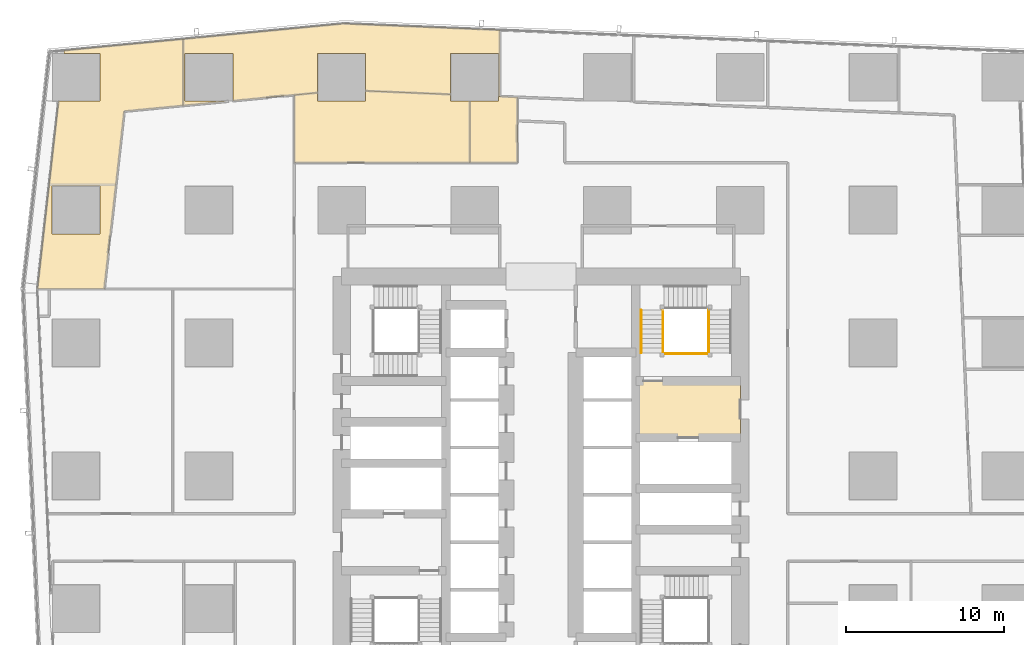
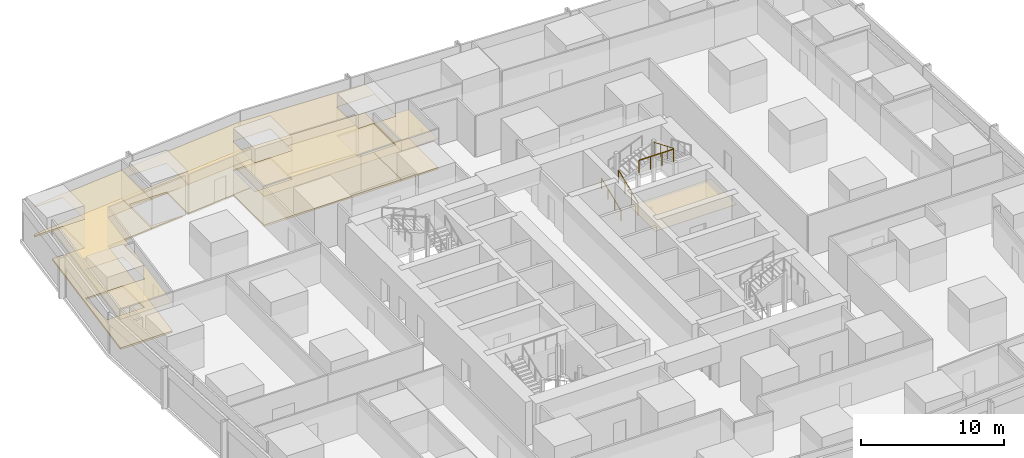
# One storey, part 43 of 45: 9 coverings, 4 railings.
"""IFC4 building model written with IfcOpenShell, lengths in metres."""

from ifc_helpers import new_model, si_unit, direction, frame, origin, origin_2d, place, context, subcontext, project, spatial, polyline, circle, outline, extrude, material, layer, layer_set, type_object, element, save


model = new_model("IFC4")

# Units and contexts
model_context = context("Model", 3, precision=1e-05, world=origin(), true_north=direction((0.0, 1.0)))
body_context = subcontext(model_context, "Body", "Model", "MODEL_VIEW")
ifc_project = project(units=[si_unit("LENGTHUNIT", "METRE"), si_unit("AREAUNIT", "SQUARE_METRE"), si_unit("VOLUMEUNIT", "CUBIC_METRE"), si_unit("PLANEANGLEUNIT", "RADIAN"), si_unit("MASSUNIT", "GRAM", prefix="KILO")], contexts=[model_context])

# Site, building, storey
site_placement = place(None, origin())
site = spatial("IfcSite", under=ifc_project, at=site_placement, CompositionType="ELEMENT")
building_placement = place(site_placement, origin())
building = spatial("IfcBuilding", under=site, at=building_placement, Name="Rekha Terrace Tower", CompositionType="ELEMENT")
storey_placement = place(building_placement, frame((0.0, 0.0, 77.89990234375)))
storey = spatial("IfcBuildingStorey", under=building, at=storey_placement, Name="L19", CompositionType="ELEMENT", Elevation=77.89990234375)

# Coverings
ifc_material_1 = material(Name="Mineral fibre tile in exposed grid", Category="finish")
ifc_layer_1 = layer(ifc_material_1, 0.02001953125)
ifc_layer_set_1 = layer_set([ifc_layer_1], Name="Mineral fibre tile in exposed grid")
covering_type_1 = type_object("IfcCoveringType", Name="CL1 600x1200 office grid ceiling", PredefinedType="CEILING", material=ifc_layer_set_1)
covering_1_placement = place(storey_placement, frame((0.0, 0.0, 2.580078125)))
element("IfcCovering", 1, at=covering_1_placement, inside=storey, type_object=covering_type_1, Name="Ceiling L19-18", PredefinedType="CEILING", context=body_context, shape_type="SweptSolid", body=[
    extrude(outline(polyline([(25.325927734375, 62.199951171875), (15.177001953125, 61.22412109375), (15.177001953125, 57.0048828125), (17.85205078125, 57.261962890625), (17.85009765625, 57.284912109375), (15.284912109375, 57.284912109375), (15.284912109375, 60.31494140625), (18.31494140625, 60.31494140625), (18.31494140625, 57.306884765625), (23.68505859375, 57.822998046875), (23.68505859375, 60.31494140625), (26.715087890625, 60.31494140625), (26.715087890625, 57.93896484375), (26.906982421875, 57.930908203125), (32.0849609375, 57.717041015625), (32.0849609375, 60.31494140625), (35.114990234375, 60.31494140625), (35.114990234375, 57.592041015625), (35.198974609375, 57.589111328125), (35.198974609375, 61.79296875), (26.909912109375, 62.135009765625), (25.325927734375, 62.199951171875)])), origin(), (0.0, 0.0, 1.0), 0.02001953125),
])
covering_2_placement = place(storey_placement, frame((0.0, 0.0, 2.580078125)))
element("IfcCovering", 2, at=covering_2_placement, inside=storey, type_object=covering_type_1, Name="Ceiling L19-19", PredefinedType="CEILING", context=body_context, shape_type="SweptSolid", body=[
    extrude(outline(polyline([(9.9150390625, 57.284912109375), (7.294921875, 57.284912109375), (6.701904296875, 52.012939453125), (5.958984375, 45.412109375), (10.18603515625, 45.412109375), (10.927978515625, 52.011962890625), (11.448974609375, 56.64599609375), (15.176025390625, 57.0048828125), (15.176025390625, 61.22412109375), (7.656005859375, 60.5009765625), (7.635009765625, 60.31494140625), (9.9150390625, 60.31494140625), (9.9150390625, 57.284912109375)]), holes=[polyline([(9.9150390625, 51.9150390625), (9.9150390625, 48.885009765625), (6.885009765625, 48.885009765625), (6.885009765625, 51.9150390625), (9.9150390625, 51.9150390625)])]), origin(), (0.0, 0.0, 1.0), 0.02001953125),
])
covering_3_placement = place(storey_placement, frame((0.0, 0.0, 2.580078125)))
element("IfcCovering", 3, at=covering_3_placement, inside=storey, type_object=covering_type_1, Name="Ceiling L19-20", PredefinedType="CEILING", context=body_context, shape_type="SweptSolid", body=[
    extrude(outline(polyline([(22.199951171875, 53.39990234375), (33.300048828125, 53.39990234375), (33.300048828125, 57.284912109375), (32.0849609375, 57.284912109375), (32.0849609375, 57.718017578125), (30.0, 57.803955078125), (27.199951171875, 57.9189453125), (26.715087890625, 57.93896484375), (26.715087890625, 57.284912109375), (23.68505859375, 57.284912109375), (23.68505859375, 57.822998046875), (22.199951171875, 57.679931640625), (22.199951171875, 53.39990234375)])), origin(), (0.0, 0.0, 1.0), 0.02001953125),
])
covering_4_placement = place(storey_placement, frame((0.0, 0.0, 2.580078125)))
element("IfcCovering", 4, at=covering_4_placement, inside=storey, type_object=covering_type_1, Name="Ceiling L19-22", PredefinedType="CEILING", context=body_context, shape_type="SweptSolid", body=[
    extrude(outline(polyline([(33.300048828125, 53.39990234375), (36.300048828125, 53.39990234375), (36.300048828125, 57.5439453125), (35.114990234375, 57.593017578125), (35.114990234375, 57.284912109375), (33.300048828125, 57.284912109375), (33.300048828125, 53.39990234375)])), origin(), (0.0, 0.0, 1.0), 0.02001953125),
])
ifc_material_2 = material(Name="Powder-coated aluminium pan", Category="aluminium")
ifc_layer_2 = layer(ifc_material_2, 0.030029296875)
ifc_layer_set_2 = layer_set([ifc_layer_2], Name="Powder-coated aluminium pan")
covering_type_2 = type_object("IfcCoveringType", Name="CL3 300x1200 metal pan ceiling", PredefinedType="CEILING", material=ifc_layer_set_2)
covering_5_placement = place(storey_placement, frame((0.0, 0.0, 2.570068359375)))
element("IfcCovering", 5, at=covering_5_placement, inside=storey, type_object=covering_type_2, Name="Ceiling L19-FLB2", PredefinedType="CEILING", context=body_context, shape_type="SweptSolid", body=[
    extrude(outline(polyline([(50.39990234375, 39.60009765625), (43.800048828125, 39.60009765625), (43.800048828125, 36.0), (50.39990234375, 36.0), (50.39990234375, 39.60009765625)])), origin(), (0.0, 0.0, 1.0), 0.030029296875),
])

# Railings
ifc_material_3 = material(Name="Stainless steel balustrade", Category="steel")
railing_type_1 = type_object("IfcRailingType", Name="GR1 1100 stair guard", PredefinedType="GUARDRAIL", material=ifc_material_3)
railing_1_placement = place(storey_placement, frame((45.514892578125, 41.375, 0.125)))
element("IfcRailing", 6, at=railing_1_placement, inside=storey, type_object=railing_type_1, Name="Guard ST2 L19 flight 1", PredefinedType="GUARDRAIL", context=body_context, shape_type="SweptSolid", body=[
    extrude(circle(Radius=0.02392578125, at=origin_2d()), frame((0.0, 0.0, 1.076171875), z_axis=(0.0, 0.923074453586, 0.384621311341), x_axis=(-1.0, 0.0, 0.0)), (0.0, 0.0, 1.0), 2.925048828125),
    extrude(circle(Radius=0.02099609375, at=origin_2d()), origin(), (0.0, 0.0, 1.0), 1.052001953125),
    extrude(circle(Radius=0.02099609375, at=origin_2d()), frame((0.0, 0.89990234375, 0.375)), (0.0, 0.0, 1.0), 1.052001953125),
    extrude(circle(Radius=0.02099609375, at=origin_2d()), frame((0.0, 1.800048828125, 0.75)), (0.0, 0.0, 1.0), 1.052001953125),
    extrude(circle(Radius=0.02099609375, at=origin_2d()), frame((0.0, 2.699951171875, 1.125)), (0.0, 0.0, 1.0), 1.052001953125),
])
railing_2_placement = place(storey_placement, frame((48.409912109375, 44.074951171875, 2.625)))
element("IfcRailing", 7, at=railing_2_placement, inside=storey, type_object=railing_type_1, Name="Guard ST2 L19 flight 3", PredefinedType="GUARDRAIL", context=body_context, shape_type="SweptSolid", body=[
    extrude(circle(Radius=0.02392578125, at=origin_2d()), frame((0.0, 0.0, 1.076171875), z_axis=(0.0, -0.923074453586, 0.384621311341), x_axis=(1.0, 0.0, 0.0)), (0.0, 0.0, 1.0), 2.925048828125),
    extrude(circle(Radius=0.02099609375, at=origin_2d()), origin(), (0.0, 0.0, 1.0), 1.052001953125),
    extrude(circle(Radius=0.02099609375, at=origin_2d()), frame((0.0, -0.89990234375, 0.375)), (0.0, 0.0, 1.0), 1.052001953125),
    extrude(circle(Radius=0.02099609375, at=origin_2d()), frame((0.0, -1.800048828125, 0.75)), (0.0, 0.0, 1.0), 1.052001953125),
    extrude(circle(Radius=0.02099609375, at=origin_2d()), frame((0.0, -2.699951171875, 1.125)), (0.0, 0.0, 1.0), 1.052001953125),
])
railing_3_placement = place(storey_placement, frame((45.574951171875, 41.31494140625, 3.75)))
element("IfcRailing", 8, at=railing_3_placement, inside=storey, type_object=railing_type_1, Name="Guard ST2 L19 landing 4", PredefinedType="GUARDRAIL", context=body_context, shape_type="SweptSolid", body=[
    extrude(circle(Radius=0.02392578125, at=origin_2d()), frame((0.0, 0.0, 1.076171875), z_axis=(1.0, 0.0, 0.0), x_axis=(0.0, 1.0, 0.0)), (0.0, 0.0, 1.0), 2.775146484375),
    extrude(circle(Radius=0.02099609375, at=origin_2d()), origin(), (0.0, 0.0, 1.0), 1.052001953125),
    extrude(circle(Radius=0.02099609375, at=origin_2d()), frame((0.925048828125, 0.0, 0.0)), (0.0, 0.0, 1.0), 1.052001953125),
    extrude(circle(Radius=0.02099609375, at=origin_2d()), frame((1.85009765625, 0.0, 0.0)), (0.0, 0.0, 1.0), 1.052001953125),
    extrude(circle(Radius=0.02099609375, at=origin_2d()), frame((2.775146484375, 0.0, 0.0)), (0.0, 0.0, 1.0), 1.052001953125),
])
ifc_material_4 = material(Name="Stainless steel tube", Category="steel")
railing_type_2 = type_object("IfcRailingType", Name="HR1 900 stair handrail", PredefinedType="HANDRAIL", material=ifc_material_4)
railing_4_placement = place(storey_placement, frame((44.135009765625, 41.375, 0.125)))
element("IfcRailing", 9, at=railing_4_placement, inside=storey, type_object=railing_type_2, Name="Handrail ST2 L19 flight 1", PredefinedType="HANDRAIL", context=body_context, shape_type="SweptSolid", body=[
    extrude(circle(Radius=0.02392578125, at=origin_2d()), frame((0.0, 0.0, 0.8759765625), z_axis=(0.0, 0.923074453586, 0.384621311341), x_axis=(-1.0, 0.0, 0.0)), (0.0, 0.0, 1.0), 2.925048828125),
    extrude(circle(Radius=0.02099609375, at=origin_2d()), origin(), (0.0, 0.0, 1.0), 0.851806640625),
    extrude(circle(Radius=0.02099609375, at=origin_2d()), frame((0.0, 0.89990234375, 0.375)), (0.0, 0.0, 1.0), 0.851806640625),
    extrude(circle(Radius=0.02099609375, at=origin_2d()), frame((0.0, 1.800048828125, 0.75)), (0.0, 0.0, 1.0), 0.851806640625),
    extrude(circle(Radius=0.02099609375, at=origin_2d()), frame((0.0, 2.699951171875, 1.125)), (0.0, 0.0, 1.0), 0.851806640625),
])

# Coverings
ifc_material_5 = material(Name="Calcium sulphate panels on steel pedestals", Category="steel")
ifc_layer_3 = layer(ifc_material_5, 0.14990234375)
ifc_layer_set_3 = layer_set([ifc_layer_3], Name="Calcium sulphate panels on steel pedestals")
covering_type_3 = type_object("IfcCoveringType", Name="RF1 150 raised access floor", PredefinedType="FLOORING", material=ifc_layer_set_3)
covering_6_placement = place(storey_placement, origin())
element("IfcCovering", 10, at=covering_6_placement, inside=storey, type_object=covering_type_3, Name="Raised floor L19-18", PredefinedType="FLOORING", context=body_context, shape_type="SweptSolid", body=[
    extrude(outline(polyline([(25.325927734375, 62.199951171875), (15.177001953125, 61.22412109375), (15.177001953125, 57.0048828125), (17.85205078125, 57.261962890625), (17.85009765625, 57.284912109375), (15.284912109375, 57.284912109375), (15.284912109375, 60.31494140625), (18.31494140625, 60.31494140625), (18.31494140625, 57.306884765625), (23.68505859375, 57.822998046875), (23.68505859375, 60.31494140625), (26.715087890625, 60.31494140625), (26.715087890625, 57.93896484375), (26.906982421875, 57.930908203125), (32.0849609375, 57.717041015625), (32.0849609375, 60.31494140625), (35.114990234375, 60.31494140625), (35.114990234375, 57.592041015625), (35.198974609375, 57.589111328125), (35.198974609375, 61.79296875), (26.909912109375, 62.135009765625), (25.325927734375, 62.199951171875)])), origin(), (0.0, 0.0, 1.0), 0.150146484375),
])
covering_7_placement = place(storey_placement, origin())
element("IfcCovering", 11, at=covering_7_placement, inside=storey, type_object=covering_type_3, Name="Raised floor L19-19", PredefinedType="FLOORING", context=body_context, shape_type="SweptSolid", body=[
    extrude(outline(polyline([(9.9150390625, 57.284912109375), (7.294921875, 57.284912109375), (6.701904296875, 52.012939453125), (5.958984375, 45.412109375), (10.18603515625, 45.412109375), (10.927978515625, 52.011962890625), (11.448974609375, 56.64599609375), (15.176025390625, 57.0048828125), (15.176025390625, 61.22412109375), (7.656005859375, 60.5009765625), (7.635009765625, 60.31494140625), (9.9150390625, 60.31494140625), (9.9150390625, 57.284912109375)]), holes=[polyline([(9.9150390625, 51.9150390625), (9.9150390625, 48.885009765625), (6.885009765625, 48.885009765625), (6.885009765625, 51.9150390625), (9.9150390625, 51.9150390625)])]), origin(), (0.0, 0.0, 1.0), 0.150146484375),
])
covering_8_placement = place(storey_placement, origin())
element("IfcCovering", 12, at=covering_8_placement, inside=storey, type_object=covering_type_3, Name="Raised floor L19-20", PredefinedType="FLOORING", context=body_context, shape_type="SweptSolid", body=[
    extrude(outline(polyline([(22.199951171875, 53.39990234375), (33.300048828125, 53.39990234375), (33.300048828125, 57.284912109375), (32.0849609375, 57.284912109375), (32.0849609375, 57.718017578125), (30.0, 57.803955078125), (27.199951171875, 57.9189453125), (26.715087890625, 57.93896484375), (26.715087890625, 57.284912109375), (23.68505859375, 57.284912109375), (23.68505859375, 57.822998046875), (22.199951171875, 57.679931640625), (22.199951171875, 53.39990234375)])), origin(), (0.0, 0.0, 1.0), 0.150146484375),
])
covering_9_placement = place(storey_placement, origin())
element("IfcCovering", 13, at=covering_9_placement, inside=storey, type_object=covering_type_3, Name="Raised floor L19-22", PredefinedType="FLOORING", context=body_context, shape_type="SweptSolid", body=[
    extrude(outline(polyline([(33.300048828125, 53.39990234375), (36.300048828125, 53.39990234375), (36.300048828125, 57.5439453125), (35.114990234375, 57.593017578125), (35.114990234375, 57.284912109375), (33.300048828125, 57.284912109375), (33.300048828125, 53.39990234375)])), origin(), (0.0, 0.0, 1.0), 0.150146484375),
])

save(model, "model.ifc")
